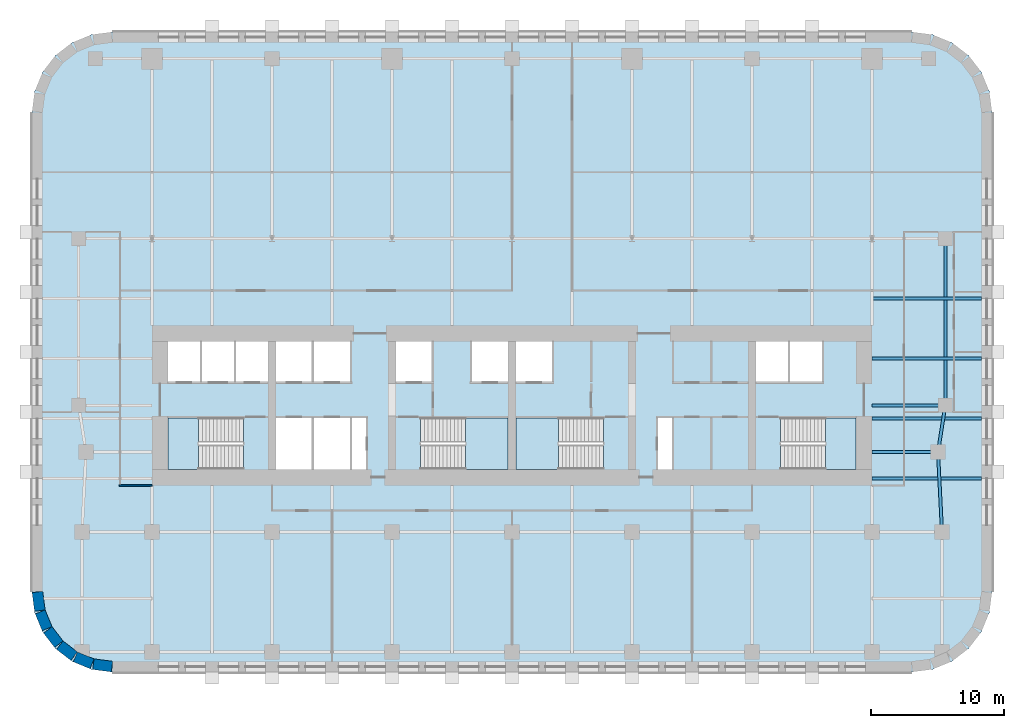
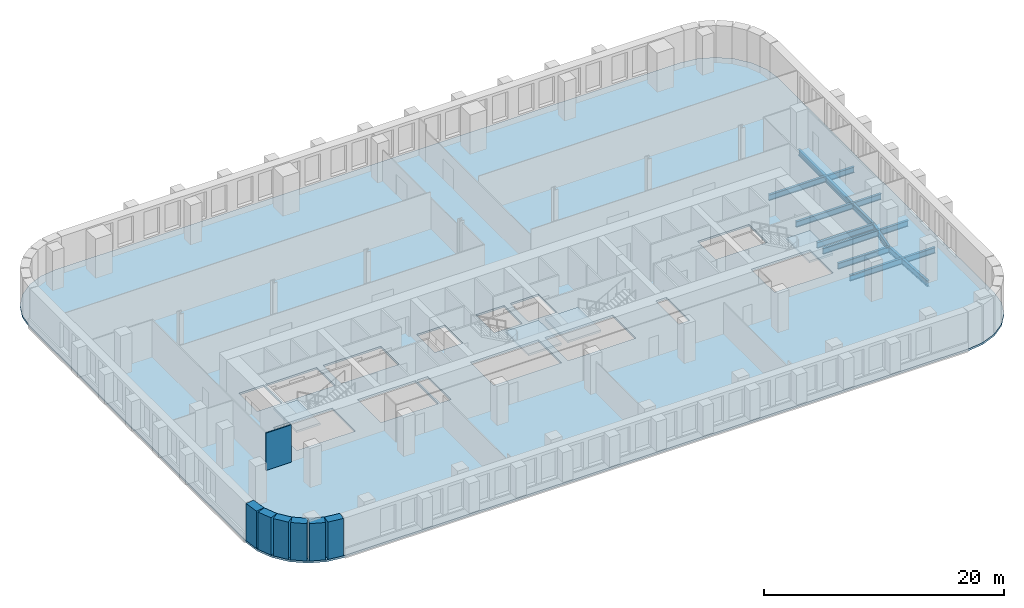
# One storey, part 2 of 11: 9 beams, 7 walls, 5 slabs, 4 elements without a shape of their own.
"""IFC4 building model written with IfcOpenShell, lengths in metres."""

from ifc_helpers import new_model, si_unit, direction, frame, frame_2d, origin, origin_2d, place, context, subcontext, project, spatial, polyline, rectangle, i_section, outline, extrude, material, layer, layer_set, material_profile, profile_set, type_object, element, aggregate, save


model = new_model("IFC4")

# Units and contexts
model_context = context("Model", 3, precision=1e-05, world=origin(), true_north=direction((0.0, 1.0)))
body_context = subcontext(model_context, "Body", "Model", "MODEL_VIEW")
ifc_project = project(units=[si_unit("LENGTHUNIT", "METRE"), si_unit("AREAUNIT", "SQUARE_METRE"), si_unit("VOLUMEUNIT", "CUBIC_METRE"), si_unit("PLANEANGLEUNIT", "RADIAN"), si_unit("MASSUNIT", "GRAM", prefix="KILO")], contexts=[model_context])

# Site, building, storey
site_placement = place(None, origin())
site = spatial("IfcSite", under=ifc_project, at=site_placement, CompositionType="ELEMENT")
building_placement = place(site_placement, origin())
building = spatial("IfcBuilding", under=site, at=building_placement, Name="Zellij Exchange Tower", CompositionType="ELEMENT")
storey_placement = place(building_placement, frame((0.0, 0.0, 80.5)))
storey = spatial("IfcBuildingStorey", under=building, at=storey_placement, Name="L16", CompositionType="ELEMENT", Elevation=80.5)

# Beams
ifc_material_1 = material(Name="Structural steel ASTM A992 Gr 50", Category="steel")
ifc_material_profile_1 = material_profile(ifc_material_1, i_section(OverallWidth=0.227783203125, OverallDepth=0.60205078125, WebThickness=0.010498046875, FlangeThickness=0.014892578125, at=origin_2d()), Name="W24x68")
ifc_profile_set_1 = profile_set([ifc_material_profile_1], Name="Structural steel ASTM A992 Gr 50")
beam_type_1 = type_object("IfcBeamType", Name="STR-BEAM W24x68", PredefinedType="BEAM", material=ifc_profile_set_1)
for number, where, z_axis, x_axis, name in (
    (1, (27.0, -13.5, -0.5009765625), (1.0, 0.0, 0.0), (0.0, 1.0, 0.0), "B5"),
    (2, (27.0, -9.0, -0.5009765625), (1.0, 0.0, 0.0), (0.0, 1.0, 0.0), "B5"),
    (3, (27.0, -4.5, -0.5009765625), (1.0, 0.0, 0.0), (0.0, 1.0, 0.0), "B5"),
    (4, (27.0, 0.0, -0.5009765625), (1.0, 0.0, 0.0), (0.0, 1.0, 0.0), "B5"),
):
    element("IfcBeam", number, at=place(storey_placement, frame(where, z_axis=z_axis, x_axis=x_axis)), inside=storey, type_object=beam_type_1, Name=name, PredefinedType="BEAM", context=body_context, shape_type="SweptSolid", body=[
        extrude(i_section(OverallWidth=0.227783203125, OverallDepth=0.60205078125, WebThickness=0.010498046875, FlangeThickness=0.014892578125, at=origin_2d()), origin(), (0.0, 0.0, 1.0), 8.199951171875),
    ])
ifc_material_profile_2 = material_profile(ifc_material_1, i_section(OverallWidth=0.22900390625, OverallDepth=0.612060546875, WebThickness=0.011962890625, FlangeThickness=0.01953125, at=origin_2d()), Name="W24x84")
ifc_profile_set_2 = profile_set([ifc_material_profile_2], Name="Structural steel ASTM A992 Gr 50")
beam_type_2 = type_object("IfcBeamType", Name="STR-EDGE GIRDER W24x84", PredefinedType="BEAM", material=ifc_profile_set_2)
beam_1_placement = place(storey_placement, frame((32.25, -17.5, -0.506103515625), z_axis=(-0.049945724537, 0.998751933465, 0.0), x_axis=(-0.998751933465, -0.049945724537, 0.0)))
element("IfcBeam", 5, at=beam_1_placement, inside=storey, type_object=beam_type_2, Name="EB6", PredefinedType="BEAM", context=body_context, shape_type="SweptSolid", body=[
    extrude(i_section(OverallWidth=0.22900390625, OverallDepth=0.612060546875, WebThickness=0.011962890625, FlangeThickness=0.01953125, at=origin_2d()), origin(), (0.0, 0.0, 1.0), 6.007568359375),
])
beam_2_placement = place(storey_placement, frame((31.949951171875, -11.5, -0.506103515625), z_axis=(0.155251283593, 0.987875011802, 0.0), x_axis=(-0.987875011802, 0.155251283593, 0.0)))
element("IfcBeam", 6, at=beam_2_placement, inside=storey, type_object=beam_type_2, Name="EB6", PredefinedType="BEAM", context=body_context, shape_type="SweptSolid", body=[
    extrude(i_section(OverallWidth=0.22900390625, OverallDepth=0.612060546875, WebThickness=0.011962890625, FlangeThickness=0.01953125, at=origin_2d()), origin(), (0.0, 0.0, 1.0), 3.54296875),
])
beam_3_placement = place(storey_placement, frame((32.5, -8.0, -0.506103515625), z_axis=(0.0, 1.0, 0.0), x_axis=(-1.0, 0.0, 0.0)))
element("IfcBeam", 7, at=beam_3_placement, inside=storey, type_object=beam_type_2, Name="EB6", PredefinedType="BEAM", context=body_context, shape_type="SweptSolid", body=[
    extrude(i_section(OverallWidth=0.22900390625, OverallDepth=0.612060546875, WebThickness=0.011962890625, FlangeThickness=0.01953125, at=origin_2d()), origin(), (0.0, 0.0, 1.0), 12.5),
])
ifc_material_profile_3 = material_profile(ifc_material_1, i_section(OverallWidth=0.22900390625, OverallDepth=0.612060546875, WebThickness=0.011962890625, FlangeThickness=0.01953125, at=origin_2d()), Name="W24x84")
ifc_profile_set_3 = profile_set([ifc_material_profile_3], Name="Structural steel ASTM A992 Gr 50")
beam_type_3 = type_object("IfcBeamType", Name="STR-GIRDER W24x84", PredefinedType="BEAM", material=ifc_profile_set_3)
beam_4_placement = place(storey_placement, frame((27.0, -11.5, -0.506103515625), z_axis=(1.0, 0.0, 0.0), x_axis=(0.0, 1.0, 0.0)))
element("IfcBeam", 8, at=beam_4_placement, inside=storey, type_object=beam_type_3, Name="G4", PredefinedType="BEAM", context=body_context, shape_type="SweptSolid", body=[
    extrude(i_section(OverallWidth=0.22900390625, OverallDepth=0.612060546875, WebThickness=0.011962890625, FlangeThickness=0.01953125, at=origin_2d()), origin(), (0.0, 0.0, 1.0), 4.949951171875),
])
beam_5_placement = place(storey_placement, frame((27.0, -8.0, -0.506103515625), z_axis=(1.0, 0.0, 0.0), x_axis=(0.0, 1.0, 0.0)))
element("IfcBeam", 9, at=beam_5_placement, inside=storey, type_object=beam_type_3, Name="G4", PredefinedType="BEAM", context=body_context, shape_type="SweptSolid", body=[
    extrude(i_section(OverallWidth=0.22900390625, OverallDepth=0.612060546875, WebThickness=0.011962890625, FlangeThickness=0.01953125, at=origin_2d()), origin(), (0.0, 0.0, 1.0), 5.5),
])

# Stair, slab
ifc_material_2 = material(Name="Concrete C40/50", Category="concrete")
stair_type = type_object("IfcStairType", Name="CORE-ST exit stair 1850 wide", PredefinedType="HALF_TURN_STAIR", material=ifc_material_2)
stair_1_placement = place(storey_placement, origin())
stair_1 = element("IfcStair", 10, at=stair_1_placement, inside=storey, type_object=stair_type, Name="L16 exit stair ST1", PredefinedType="HALF_TURN_STAIR")
ifc_layer_1 = layer(ifc_material_2, 0.199951171875)
ifc_layer_set_1 = layer_set([ifc_layer_1], Name="Concrete C40/50")
slab_type_1 = type_object("IfcSlabType", Name="CORE-SL stair landing 200", PredefinedType="LANDING", material=ifc_layer_set_1)
slab_1_placement = place(storey_placement, frame((0.0, 0.0, 1.800048828125)))
slab_1 = element("IfcSlab", 11, at=slab_1_placement, type_object=slab_type_1, Name="ST1 landing 1", PredefinedType="LANDING", context=body_context, shape_type="SweptSolid", body=[
    extrude(outline(polyline([(-23.510009765625, -8.949951171875), (-25.800048828125, -8.949951171875), (-25.800048828125, -12.800048828125), (-23.510009765625, -12.800048828125), (-23.510009765625, -8.949951171875)])), origin(), (0.0, 0.0, 1.0), 0.199951171875),
])
aggregate(stair_1, [slab_1])

stair_2_placement = place(storey_placement, origin())
stair_2 = element("IfcStair", 12, at=stair_2_placement, inside=storey, type_object=stair_type, Name="L16 exit stair ST2", PredefinedType="HALF_TURN_STAIR")
slab_2_placement = place(storey_placement, frame((0.0, 0.0, 1.800048828125)))
slab_2 = element("IfcSlab", 13, at=slab_2_placement, type_object=slab_type_1, Name="ST2 landing 1", PredefinedType="LANDING", context=body_context, shape_type="SweptSolid", body=[
    extrude(outline(polyline([(-3.489990234375, -12.800048828125), (-0.300048828125, -12.800048828125), (-0.300048828125, -8.949951171875), (-3.489990234375, -8.949951171875), (-3.489990234375, -12.800048828125)])), origin(), (0.0, 0.0, 1.0), 0.199951171875),
])
aggregate(stair_2, [slab_2])

stair_3_placement = place(storey_placement, origin())
stair_3 = element("IfcStair", 14, at=stair_3_placement, inside=storey, type_object=stair_type, Name="L16 exit stair ST3", PredefinedType="HALF_TURN_STAIR")
slab_3_placement = place(storey_placement, frame((0.0, 0.0, 1.800048828125)))
slab_3 = element("IfcSlab", 15, at=slab_3_placement, type_object=slab_type_1, Name="ST3 landing 1", PredefinedType="LANDING", context=body_context, shape_type="SweptSolid", body=[
    extrude(outline(polyline([(3.489990234375, -8.949951171875), (0.300048828125, -8.949951171875), (0.300048828125, -12.800048828125), (3.489990234375, -12.800048828125), (3.489990234375, -8.949951171875)])), origin(), (0.0, 0.0, 1.0), 0.199951171875),
])
aggregate(stair_3, [slab_3])

stair_4_placement = place(storey_placement, origin())
stair_4 = element("IfcStair", 16, at=stair_4_placement, inside=storey, type_object=stair_type, Name="L16 exit stair ST4", PredefinedType="HALF_TURN_STAIR")
slab_4_placement = place(storey_placement, frame((0.0, 0.0, 1.800048828125)))
slab_4 = element("IfcSlab", 17, at=slab_4_placement, type_object=slab_type_1, Name="ST4 landing 1", PredefinedType="LANDING", context=body_context, shape_type="SweptSolid", body=[
    extrude(outline(polyline([(23.510009765625, -12.800048828125), (25.800048828125, -12.800048828125), (25.800048828125, -8.949951171875), (23.510009765625, -8.949951171875), (23.510009765625, -12.800048828125)])), origin(), (0.0, 0.0, 1.0), 0.199951171875),
])
aggregate(stair_4, [slab_4])

# Slab
ifc_layer_2 = layer(ifc_material_2, 0.199951171875)
ifc_layer_set_2 = layer_set([ifc_layer_2], Name="Concrete C40/50")
slab_type_2 = type_object("IfcSlabType", Name="STR-FLOOR SLAB 200 C40/50", PredefinedType="FLOOR", material=ifc_layer_set_2)
slab_5_placement = place(storey_placement, frame((0.0, 0.0, -0.2001953125)))
element("IfcSlab", 18, at=slab_5_placement, inside=storey, type_object=slab_type_2, Name="Floor L16", PredefinedType="FLOOR", context=body_context, shape_type="SweptSolid", body=[
    extrude(outline(polyline([(-30.0, -28.0), (-31.552978515625, -27.795654296875), (-33.0, -27.1962890625), (-34.24267578125, -26.24267578125), (-35.1962890625, -25.0), (-35.795654296875, -23.552978515625), (-36.0, -22.0), (-36.0, 14.0), (-35.795654296875, 15.552978515625), (-35.1962890625, 17.0), (-34.24267578125, 18.24267578125), (-33.0, 19.1962890625), (-31.552978515625, 19.795654296875), (-30.0, 20.0), (30.0, 20.0), (31.552978515625, 19.795654296875), (33.0, 19.1962890625), (34.24267578125, 18.24267578125), (35.1962890625, 17.0), (35.795654296875, 15.552978515625), (36.0, 14.0), (36.0, -22.0), (35.795654296875, -23.552978515625), (35.1962890625, -25.0), (34.24267578125, -26.24267578125), (33.0, -27.1962890625), (31.552978515625, -27.795654296875), (30.0, -28.0), (-30.0, -28.0)]), holes=[polyline([(-25.800048828125, -8.949951171875), (-25.800048828125, -12.800048828125), (-20.153076171875, -12.800048828125), (-20.153076171875, -8.949951171875), (-25.800048828125, -8.949951171875)]), polyline([(-12.14990234375, -8.949951171875), (-17.699951171875, -8.949951171875), (-17.699951171875, -12.800048828125), (-12.14990234375, -12.800048828125), (-12.14990234375, -8.949951171875)]), polyline([(-10.949951171875, -8.949951171875), (-12.0, -8.949951171875), (-12.0, -12.800048828125), (-10.949951171875, -12.800048828125), (-10.949951171875, -8.949951171875)]), polyline([(-23.39990234375, -3.199951171875), (-25.800048828125, -3.199951171875), (-25.800048828125, -6.22509765625), (-23.39990234375, -6.22509765625), (-23.39990234375, -3.199951171875)]), polyline([(-18.300048828125, -3.199951171875), (-23.25, -3.199951171875), (-23.25, -6.22509765625), (-18.300048828125, -6.22509765625), (-18.300048828125, -3.199951171875)]), polyline([(-12.14990234375, -3.199951171875), (-17.699951171875, -3.199951171875), (-17.699951171875, -6.22509765625), (-12.14990234375, -6.22509765625), (-12.14990234375, -3.199951171875)]), polyline([(-6.0, -3.199951171875), (-8.699951171875, -3.199951171875), (-8.699951171875, -6.22509765625), (-6.0, -6.22509765625), (-6.0, -3.199951171875)]), polyline([(-6.846923828125, -8.949951171875), (-6.846923828125, -12.800048828125), (-0.300048828125, -12.800048828125), (-0.300048828125, -8.949951171875), (-6.846923828125, -8.949951171875)]), polyline([(6.846923828125, -8.949951171875), (0.300048828125, -8.949951171875), (0.300048828125, -12.800048828125), (6.846923828125, -12.800048828125), (6.846923828125, -8.949951171875)]), polyline([(12.0, -8.949951171875), (10.949951171875, -8.949951171875), (10.949951171875, -12.800048828125), (12.0, -12.800048828125), (12.0, -8.949951171875)]), polyline([(25.800048828125, -8.949951171875), (20.153076171875, -8.949951171875), (20.153076171875, -12.800048828125), (25.800048828125, -12.800048828125), (25.800048828125, -8.949951171875)]), polyline([(-0.300048828125, -3.199951171875), (-3.0, -3.199951171875), (-3.0, -6.22509765625), (-0.300048828125, -6.22509765625), (-0.300048828125, -3.199951171875)]), polyline([(3.0, -3.199951171875), (0.300048828125, -3.199951171875), (0.300048828125, -6.22509765625), (3.0, -6.22509765625), (3.0, -3.199951171875)]), polyline([(23.25, -3.199951171875), (18.300048828125, -3.199951171875), (18.300048828125, -6.22509765625), (23.25, -6.22509765625), (23.25, -3.199951171875)])]), origin(), (0.0, 0.0, 1.0), 0.2001953125),
])

# Walls
ifc_material_3 = material(Name="Precast concrete C40/50", Category="concrete")
ifc_layer_3 = layer(ifc_material_3, 0.800048828125)
ifc_layer_set_3 = layer_set([ifc_layer_3], Name="Precast concrete C40/50")
wall_type_1 = type_object("IfcWallType", Name="ENV-EW1 Precast stone-piered wall 800", PredefinedType="SOLIDWALL", material=ifc_layer_set_3)
wall_1_placement = place(storey_placement, frame((-35.5966796875, -21.999755859375, 0.0), z_axis=(0.0, 0.0, 1.0), x_axis=(0.130517283865, -0.99144603414, 0.0)))
element("IfcWall", 19, at=wall_1_placement, inside=storey, type_object=wall_type_1, Name="fac.L16.22", PredefinedType="SOLIDWALL", context=body_context, shape_type="SweptSolid", body=[
    extrude(rectangle(XDim=1.408447265625, YDim=0.800048828125, at=frame_2d((0.7041015625, 0.0))), origin(), (0.0, 0.0, 1.0), 3.800048828125),
])
wall_2_placement = place(storey_placement, frame((-35.3857421875, -23.497314453125, 0.0), z_axis=(0.0, 0.0, 1.0), x_axis=(0.38276009378, -0.923847774587, 0.0)))
element("IfcWall", 20, at=wall_2_placement, inside=storey, type_object=wall_type_1, Name="fac.L16.23", PredefinedType="SOLIDWALL", context=body_context, shape_type="SweptSolid", body=[
    extrude(rectangle(XDim=1.35546875, YDim=0.800048828125, at=frame_2d((0.677734375, 0.0))), origin(), (0.0, 0.0, 1.0), 3.800048828125),
])
for number, where, z_axis, x_axis, name in (
    (21, (-34.814697265625, -24.840087890625, 0.0), (0.0, 0.0, 1.0), (0.608866226366, -0.793272915452, 0.0), "fac.L16.24"),
    (22, (-33.91552734375, -25.9892578125, 0.0), (0.0, 0.0, 1.0), (0.793272915452, -0.608866226366, 0.0), "fac.L16.25"),
):
    element("IfcWall", number, at=place(storey_placement, frame(where, z_axis=z_axis, x_axis=x_axis)), inside=storey, type_object=wall_type_1, Name=name, PredefinedType="SOLIDWALL", context=body_context, shape_type="SweptSolid", body=[
        extrude(rectangle(XDim=1.355712890625, YDim=0.800048828125, at=frame_2d((0.677734375, 0.0))), origin(), (0.0, 0.0, 1.0), 3.800048828125),
    ])
wall_3_placement = place(storey_placement, frame((-32.74951171875, -26.866943359375, 0.0), z_axis=(0.0, 0.0, 1.0), x_axis=(0.923847774587, -0.38276009378, 0.0)))
element("IfcWall", 23, at=wall_3_placement, inside=storey, type_object=wall_type_1, Name="fac.L16.26", PredefinedType="SOLIDWALL", context=body_context, shape_type="SweptSolid", body=[
    extrude(rectangle(XDim=1.35546875, YDim=0.800048828125, at=frame_2d((0.677734375, 0.0))), origin(), (0.0, 0.0, 1.0), 3.800048828125),
])
wall_4_placement = place(storey_placement, frame((-31.396240234375, -27.412841796875, 0.0), z_axis=(0.0, 0.0, 1.0), x_axis=(0.99144603414, -0.130517283865, 0.0)))
element("IfcWall", 24, at=wall_4_placement, inside=storey, type_object=wall_type_1, Name="fac.L16.27", PredefinedType="SOLIDWALL", context=body_context, shape_type="SweptSolid", body=[
    extrude(rectangle(XDim=1.408447265625, YDim=0.800048828125, at=frame_2d((0.7041015625, 0.0))), origin(), (0.0, 0.0, 1.0), 3.800048828125),
])
ifc_material_4 = material(Name="Gypsum board partition on steel studs", Category="steel")
ifc_layer_4 = layer(ifc_material_4, 0.10009765625)
ifc_layer_set_4 = layer_set([ifc_layer_4], Name="Gypsum board partition on steel studs")
wall_type_2 = type_object("IfcWallType", Name="FIT-PARTITION-100", PredefinedType="PARTITIONING", material=ifc_layer_set_4)
wall_5_placement = place(storey_placement, frame((-29.449951171875, -14.0, 0.0), z_axis=(0.0, 0.0, 1.0), x_axis=(1.0, 0.0, 0.0)))
element("IfcWall", 25, at=wall_5_placement, inside=storey, type_object=wall_type_2, Name="FIT-PARTITION-100 010", PredefinedType="PARTITIONING", context=body_context, shape_type="SweptSolid", body=[
    extrude(rectangle(XDim=2.449951171875, YDim=0.10009765625, at=frame_2d((1.22509765625, 0.0))), origin(), (0.0, 0.0, 1.0), 3.800048828125),
])

save(model, "model.ifc")
